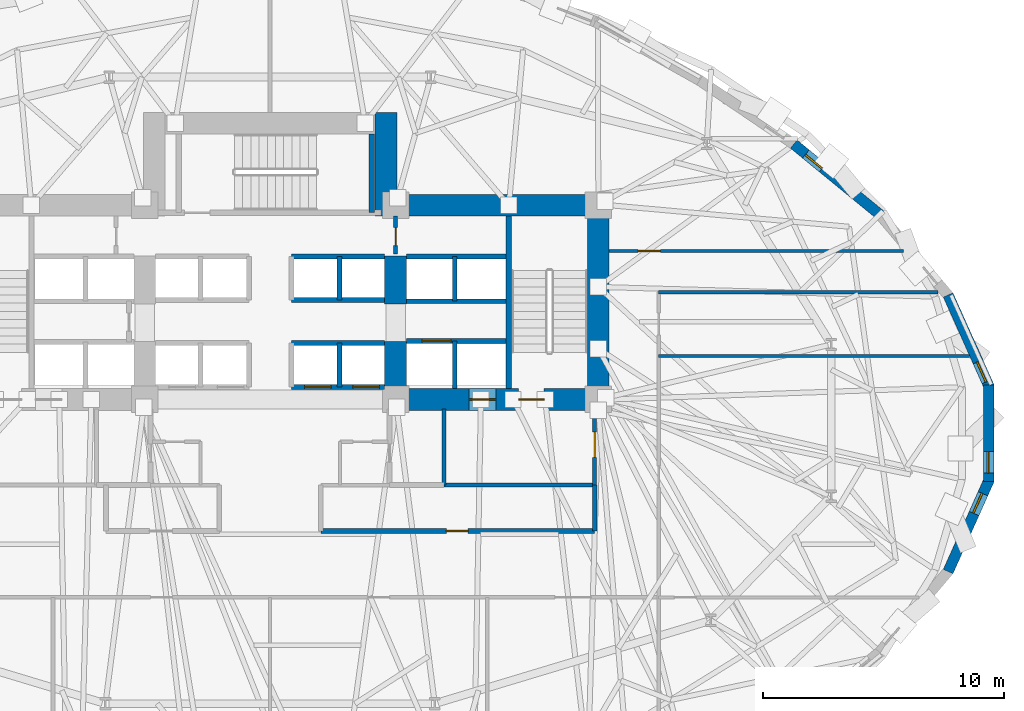
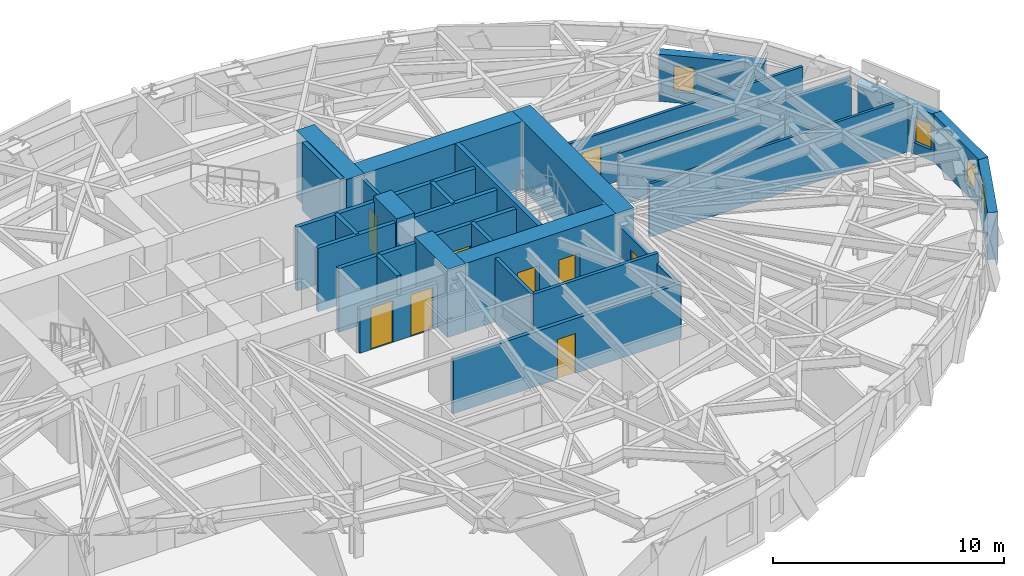
# One storey, part 9 of 14: 32 walls, 9 doors, 4 windows, 13 openings.
"""IFC4 building model written with IfcOpenShell, lengths in metres."""

from ifc_helpers import new_model, si_unit, direction, frame, frame_2d, origin, place, context, subcontext, project, spatial, rectangle, extrude, material, layer, layer_set, type_object, element, fill, save


model = new_model("IFC4")

# Units and contexts
model_context = context("Model", 3, precision=1e-05, world=origin(), true_north=direction((0.0, 1.0)))
body_context = subcontext(model_context, "Body", "Model", "MODEL_VIEW")
ifc_project = project(units=[si_unit("LENGTHUNIT", "METRE"), si_unit("AREAUNIT", "SQUARE_METRE"), si_unit("VOLUMEUNIT", "CUBIC_METRE"), si_unit("PLANEANGLEUNIT", "RADIAN"), si_unit("MASSUNIT", "GRAM", prefix="KILO")], contexts=[model_context])

# Site, building, storey
site_placement = place(None, origin())
site = spatial("IfcSite", under=ifc_project, at=site_placement, CompositionType="ELEMENT")
building_placement = place(site_placement, origin())
building = spatial("IfcBuilding", under=site, at=building_placement, Name="Keldmark Tower", CompositionType="ELEMENT")
storey_placement = place(building_placement, frame((0.0, 0.0, 73.800048828125)))
storey = spatial("IfcBuildingStorey", under=building, at=storey_placement, Name="L19", CompositionType="ELEMENT", Elevation=73.800048828125)

# Wall, opening, door
ifc_material_1 = material(Name="Acoustic Double-Layer Gypsum Corridor Partition", Category="gypsum")
ifc_layer_1 = layer(ifc_material_1, 0.139892578125)
ifc_layer_set_1 = layer_set([ifc_layer_1], Name="Acoustic Double-Layer Gypsum Corridor Partition")
wall_type_1 = type_object("IfcWallType", Name="Acoustic Corridor Partition 140 mm", PredefinedType="PARTITIONING", material=ifc_layer_set_1)
wall_1_placement = place(storey_placement, frame((14.050048828125, 7.550048828125, 0.0), z_axis=(0.0, 0.0, 1.0), x_axis=(1.0, 0.0, 0.0)))
wall_1 = element("IfcWall", 1, at=wall_1_placement, inside=storey, type_object=wall_type_1, Name="L19 Acoustic Corridor Partition 140 mm COR-EN-CAP", PredefinedType="PARTITIONING", context=body_context, shape_type="SweptSolid", body=[
    extrude(rectangle(XDim=12.197509765625, YDim=0.139892578125, at=frame_2d((6.0986328125, 0.0))), origin(), (0.0, 0.0, 1.0), 2.81298828125),
])
opening_1_placement = place(wall_1_placement, frame((1.199951171875, 0.0, 0.0)))
opening_1 = element("IfcOpeningElement", 2, at=opening_1_placement, cuts=wall_1, Name="Opening D-EX092", PredefinedType="OPENING", context=body_context, shape_type="SweptSolid", body=[
    extrude(rectangle(XDim=0.919921875, YDim=2.14990234375, at=frame_2d((0.4599609375, 1.074951171875))), frame((0.0, 0.079833984375, 0.0), z_axis=(0.0, -1.0, 0.0), x_axis=(1.0, 0.0, 0.0)), (0.0, 0.0, 1.0), 0.159912109375),
])
ifc_material_2 = material(Name="Flush American Ash Executive Office Door", Category="wood")
door_type_1 = type_object("IfcDoorType", Name="Executive Office Door 920x2150", OperationType="NOTDEFINED", PredefinedType="DOOR", material=ifc_material_2)
door_1_placement = place(opening_1_placement, origin())
door_1 = element("IfcDoor", 3, at=door_1_placement, inside=storey, type_object=door_type_1, Name="L19 Executive Office Door 920x2150 D-NRNE-L19", OperationType="SINGLE_SWING_RIGHT", OverallHeight=2.14990234375, OverallWidth=0.919921875, PredefinedType="DOOR", context=body_context, shape_type="SweptSolid", body=[
    extrude(rectangle(XDim=0.919921875, YDim=2.14990234375, at=frame_2d((0.4599609375, 1.074951171875))), frame((0.0, 0.02490234375, 0.0), z_axis=(0.0, -1.0, 0.0), x_axis=(1.0, 0.0, 0.0)), (0.0, 0.0, 1.0), 0.050048828125),
])
fill(opening_1, door_1)

# Wall
wall_2_placement = place(storey_placement, frame((16.10009765625, 5.85009765625, 0.0), z_axis=(0.0, 0.0, 1.0), x_axis=(1.0, 0.0, 0.0)))
element("IfcWall", 4, at=wall_2_placement, inside=storey, type_object=wall_type_1, Name="L19 Acoustic Corridor Partition 140 mm COR-EA-S", PredefinedType="PARTITIONING", context=body_context, shape_type="SweptSolid", body=[
    extrude(rectangle(XDim=11.584716796875, YDim=0.139892578125, at=frame_2d((5.79248046875, 0.0))), origin(), (0.0, 0.0, 1.0), 2.81298828125),
])

# Wall, opening, door
ifc_material_3 = material(Name="Heavy Acoustic Plumbing Chase Gypsum Assembly", Category="gypsum")
ifc_layer_2 = layer(ifc_material_3, 0.18994140625)
ifc_layer_set_2 = layer_set([ifc_layer_2], Name="Heavy Acoustic Plumbing Chase Gypsum Assembly")
wall_type_2 = type_object("IfcWallType", Name="Heavy Wet Wall 190 mm", PredefinedType="PLUMBINGWALL", material=ifc_layer_set_2)
wall_3_placement = place(storey_placement, frame((2.10009765625, -4.050048828125, 0.0), z_axis=(0.0, 0.0, 1.0), x_axis=(1.0, 0.0, 0.0)))
wall_3 = element("IfcWall", 5, at=wall_3_placement, inside=storey, type_object=wall_type_2, Name="L19 Heavy Wet Wall 190 mm SPK-E-S", PredefinedType="PLUMBINGWALL", context=body_context, shape_type="SweptSolid", body=[
    extrude(rectangle(XDim=11.349853515625, YDim=0.18994140625, at=frame_2d((5.6748046875, 0.0))), origin(), (0.0, 0.0, 1.0), 2.89306640625),
])
opening_2_placement = place(wall_3_placement, frame((5.199951171875, 0.0, 0.0)))
opening_2 = element("IfcOpeningElement", 6, at=opening_2_placement, cuts=wall_3, Name="Opening D-IN090", PredefinedType="OPENING", context=body_context, shape_type="SweptSolid", body=[
    extrude(rectangle(XDim=0.89990234375, YDim=2.10009765625, at=frame_2d((0.449951171875, 1.050048828125))), frame((0.0, 0.10498046875, 0.0), z_axis=(0.0, -1.0, 0.0), x_axis=(1.0, 0.0, 0.0)), (0.0, 0.0, 1.0), 0.2099609375),
])
ifc_material_4 = material(Name="Stained American White Oak Veneer", Category="wood")
door_type_2 = type_object("IfcDoorType", Name="Interior Door 900x2100", OperationType="NOTDEFINED", PredefinedType="DOOR", material=ifc_material_4)
door_2_placement = place(opening_2_placement, origin())
door_2 = element("IfcDoor", 7, at=door_2_placement, inside=storey, type_object=door_type_2, Name="L19 Interior Door 900x2100 D-SPKE1-L19", OperationType="SINGLE_SWING_RIGHT", OverallHeight=2.10009765625, OverallWidth=0.89990234375, PredefinedType="DOOR", context=body_context, shape_type="SweptSolid", body=[
    extrude(rectangle(XDim=0.89990234375, YDim=2.10009765625, at=frame_2d((0.449951171875, 1.050048828125))), frame((0.0, 0.02490234375, 0.0), z_axis=(0.0, -1.0, 0.0), x_axis=(1.0, 0.0, 0.0)), (0.0, 0.0, 1.0), 0.050048828125),
])
fill(opening_2, door_2)

# Walls
wall_4_placement = place(storey_placement, frame((13.449951171875, -4.050048828125, 0.0), z_axis=(0.0, 0.0, 1.0), x_axis=(0.0, 1.0, 0.0)))
element("IfcWall", 8, at=wall_4_placement, inside=storey, type_object=wall_type_2, Name="L19 Heavy Wet Wall 190 mm SPK-E-E", PredefinedType="PLUMBINGWALL", context=body_context, shape_type="SweptSolid", body=[
    extrude(rectangle(XDim=1.900146484375, YDim=0.18994140625, at=frame_2d((0.9501953125, 0.0))), origin(), (0.0, 0.0, 1.0), 2.81298828125),
])
ifc_material_5 = material(Name="Acoustic Gypsum Board Interior Partition", Category="gypsum")
ifc_layer_3 = layer(ifc_material_5, 0.1298828125)
ifc_layer_set_3 = layer_set([ifc_layer_3], Name="Acoustic Gypsum Board Interior Partition")
wall_type_3 = type_object("IfcWallType", Name="Interior Partition 130 mm", PredefinedType="PARTITIONING", material=ifc_layer_set_3)
wall_5_placement = place(storey_placement, frame((16.10009765625, 3.199951171875, 0.0), z_axis=(0.0, 0.0, 1.0), x_axis=(1.0, 0.0, 0.0)))
element("IfcWall", 9, at=wall_5_placement, inside=storey, type_object=wall_type_3, Name="L19 Interior Partition 130 mm E-DIV-1", PredefinedType="PARTITIONING", context=body_context, shape_type="SweptSolid", body=[
    extrude(rectangle(XDim=12.878173828125, YDim=0.1298828125, at=frame_2d((6.43896484375, 0.0))), origin(), (0.0, 0.0, 1.0), 2.801025390625),
])
ifc_material_6 = material(Name="Concrete C70/85", Category="concrete")
ifc_layer_4 = layer(ifc_material_6, 0.89990234375)
ifc_layer_set_4 = layer_set([ifc_layer_4], Name="Concrete C70/85")
wall_type_4 = type_object("IfcWallType", Name="Lower Core Shear Wall 900 mm", PredefinedType="SHEAR", material=ifc_layer_set_4)
wall_6_placement = place(storey_placement, frame((13.60009765625, 0.949951171875, 0.0), z_axis=(0.0, 0.0, 1.0), x_axis=(0.0, 1.0, 0.0)))
element("IfcWall", 10, at=wall_6_placement, inside=storey, type_object=wall_type_4, Name="L19 East Core Outer Shear Wall", PredefinedType="SHEAR", context=body_context, shape_type="SweptSolid", body=[
    extrude(rectangle(XDim=8.949951171875, YDim=0.89990234375, at=frame_2d((4.47509765625, 0.0))), origin(), (0.0, 0.0, 1.0), 3.599853515625),
])
wall_7_placement = place(storey_placement, frame((4.35009765625, 9.449951171875, 0.0), z_axis=(0.0, 0.0, 1.0), x_axis=(1.0, 0.0, 0.0)))
element("IfcWall", 11, at=wall_7_placement, inside=storey, type_object=wall_type_4, Name="L19 East Core North Shear Wall", PredefinedType="SHEAR", context=body_context, shape_type="SweptSolid", body=[
    extrude(rectangle(XDim=9.699951171875, YDim=0.89990234375, at=frame_2d((4.85009765625, 0.0))), origin(), (0.0, 0.0, 1.0), 3.599853515625),
])

# Wall, openings, doors
wall_8_placement = place(storey_placement, frame((14.050048828125, 1.39990234375, 0.0), z_axis=(0.0, 0.0, 1.0), x_axis=(-1.0, 0.0, 0.0)))
wall_8 = element("IfcWall", 12, at=wall_8_placement, inside=storey, type_object=wall_type_4, Name="L19 East Core South Shear Wall", PredefinedType="SHEAR", context=body_context, shape_type="SweptSolid", body=[
    extrude(rectangle(XDim=9.300048828125, YDim=0.89990234375, at=frame_2d((4.64990234375, 0.0))), origin(), (0.0, 0.0, 1.0), 3.599853515625),
])
opening_3_placement = place(wall_8_placement, frame((2.699951171875, 0.0, 0.0)))
opening_3 = element("IfcOpeningElement", 13, at=opening_3_placement, cuts=wall_8, Name="Opening D-ST105", PredefinedType="OPENING", context=body_context, shape_type="SweptSolid", body=[
    extrude(rectangle(XDim=1.050048828125, YDim=2.14990234375, at=frame_2d((0.52490234375, 1.074951171875))), frame((0.0, 0.4599609375, 0.0), z_axis=(0.0, -1.0, 0.0), x_axis=(1.0, 0.0, 0.0)), (0.0, 0.0, 1.0), 0.919921875),
])
opening_4_placement = place(wall_8_placement, frame((4.699951171875, 0.0, 0.0)))
opening_4 = element("IfcOpeningElement", 14, at=opening_4_placement, cuts=wall_8, Name="Opening LD-110", PredefinedType="OPENING", context=body_context, shape_type="SweptSolid", body=[
    extrude(rectangle(XDim=1.10009765625, YDim=2.199951171875, at=frame_2d((0.550048828125, 1.10009765625))), frame((0.0, 0.4599609375, 0.0), z_axis=(0.0, -1.0, 0.0), x_axis=(1.0, 0.0, 0.0)), (0.0, 0.0, 1.0), 0.919921875),
])
ifc_material_7 = material(Name="Brushed Bronze Hoistway Sliding Leaf", Category="metal")
door_type_3 = type_object("IfcDoorType", Name="Lift Landing Sliding Door 1100x2200", OperationType="SLIDING_TO_LEFT", PredefinedType="DOOR", material=ifc_material_7)
door_3_placement = place(opening_4_placement, origin())
door_3 = element("IfcDoor", 15, at=door_3_placement, inside=storey, type_object=door_type_3, Name="L19 Lift Landing Sliding Door 1100x2200 LD-EL-FS2-L19", OperationType="SLIDING_TO_LEFT", OverallHeight=2.199951171875, OverallWidth=1.10009765625, PredefinedType="DOOR", context=body_context, shape_type="SweptSolid", body=[
    extrude(rectangle(XDim=1.10009765625, YDim=2.199951171875, at=frame_2d((0.550048828125, 1.10009765625))), frame((0.0, 0.02490234375, 0.0), z_axis=(0.0, -1.0, 0.0), x_axis=(1.0, 0.0, 0.0)), (0.0, 0.0, 1.0), 0.050048828125),
])
fill(opening_4, door_3)
ifc_material_8 = material(Name="Hollow Metal Fire-Rated Door Assembly", Category="metal")
door_type_4 = type_object("IfcDoorType", Name="Stair Fire Door 1050x2150", OperationType="NOTDEFINED", PredefinedType="DOOR", material=ifc_material_8)
door_4_placement = place(opening_3_placement, origin())
door_4 = element("IfcDoor", 16, at=door_4_placement, inside=storey, type_object=door_type_4, Name="L19 Stair Fire Door 1050x2150 D-ST2-L19", OperationType="SINGLE_SWING_LEFT", OverallHeight=2.14990234375, OverallWidth=1.050048828125, PredefinedType="DOOR", context=body_context, shape_type="SweptSolid", body=[
    extrude(rectangle(XDim=1.050048828125, YDim=2.14990234375, at=frame_2d((0.52490234375, 1.074951171875))), frame((0.0, 0.02490234375, 0.0), z_axis=(0.0, -1.0, 0.0), x_axis=(1.0, 0.0, 0.0)), (0.0, 0.0, 1.0), 0.050048828125),
])
fill(opening_3, door_4)

# Walls
wall_9_placement = place(storey_placement, frame((5.199951171875, 0.949951171875, 0.0), z_axis=(0.0, 0.0, 1.0), x_axis=(0.0, 1.0, 0.0)))
element("IfcWall", 17, at=wall_9_placement, inside=storey, type_object=wall_type_4, Name="L19 East Core Inner Shear Pier South", PredefinedType="SHEAR", context=body_context, shape_type="SweptSolid", body=[
    extrude(rectangle(XDim=2.85009765625, YDim=0.89990234375, at=frame_2d((1.425048828125, 0.0))), origin(), (0.0, 0.0, 1.0), 3.599853515625),
])
wall_10_placement = place(storey_placement, frame((5.199951171875, 5.35009765625, 0.0), z_axis=(0.0, 0.0, 1.0), x_axis=(0.0, 1.0, 0.0)))
element("IfcWall", 18, at=wall_10_placement, inside=storey, type_object=wall_type_4, Name="L19 East Core Inner Shear Pier North", PredefinedType="SHEAR", context=body_context, shape_type="SweptSolid", body=[
    extrude(rectangle(XDim=2.0, YDim=0.89990234375, at=frame_2d((1.0, 0.0))), origin(), (0.0, 0.0, 1.0), 3.599853515625),
])
wall_11_placement = place(storey_placement, frame((4.800048828125, 9.0, 0.0), z_axis=(0.0, 0.0, 1.0), x_axis=(0.0, 1.0, 0.0)))
element("IfcWall", 19, at=wall_11_placement, inside=storey, type_object=wall_type_4, Name="L19 North Core East Shear Wall", PredefinedType="SHEAR", context=body_context, shape_type="SweptSolid", body=[
    extrude(rectangle(XDim=4.300048828125, YDim=0.89990234375, at=frame_2d((2.14990234375, 0.0))), origin(), (0.0, 0.0, 1.0), 3.599853515625),
])
ifc_material_9 = material(Name="Type X Fire-Rated Gypsum Partition Assembly", Category="gypsum")
ifc_layer_5 = layer(ifc_material_9, 0.1650390625)
ifc_layer_set_5 = layer_set([ifc_layer_5], Name="Type X Fire-Rated Gypsum Partition Assembly")
wall_type_5 = type_object("IfcWallType", Name="Rated Partition 165 mm", PredefinedType="PARTITIONING", material=ifc_layer_set_5)
wall_12_placement = place(storey_placement, frame((7.199951171875, -2.14990234375, 0.0), z_axis=(0.0, 0.0, 1.0), x_axis=(1.0, 0.0, 0.0)))
element("IfcWall", 20, at=wall_12_placement, inside=storey, type_object=wall_type_5, Name="L19 Rated Partition 165 mm FSAE-E-S", PredefinedType="PARTITIONING", context=body_context, shape_type="SweptSolid", body=[
    extrude(rectangle(XDim=6.25, YDim=0.1650390625, at=frame_2d((3.125, 0.0))), origin(), (0.0, 0.0, 1.0), 3.35986328125),
])
wall_13_placement = place(storey_placement, frame((7.199951171875, -2.14990234375, 0.0), z_axis=(0.0, 0.0, 1.0), x_axis=(0.0, 1.0, 0.0)))
element("IfcWall", 21, at=wall_13_placement, inside=storey, type_object=wall_type_5, Name="L19 Rated Partition 165 mm FSAE-E-W", PredefinedType="PARTITIONING", context=body_context, shape_type="SweptSolid", body=[
    extrude(rectangle(XDim=3.14990234375, YDim=0.1650390625, at=frame_2d((1.574951171875, 0.0))), origin(), (0.0, 0.0, 1.0), 3.35986328125),
])

# Wall, opening, door
wall_14_placement = place(storey_placement, frame((13.449951171875, -2.14990234375, 0.0), z_axis=(0.0, 0.0, 1.0), x_axis=(0.0, 1.0, 0.0)))
wall_14 = element("IfcWall", 22, at=wall_14_placement, inside=storey, type_object=wall_type_5, Name="L19 Rated Partition 165 mm FSAE-E-E", PredefinedType="PARTITIONING", context=body_context, shape_type="SweptSolid", body=[
    extrude(rectangle(XDim=3.14990234375, YDim=0.1650390625, at=frame_2d((1.574951171875, 0.0))), origin(), (0.0, 0.0, 1.0), 2.81298828125),
])
opening_5_placement = place(wall_14_placement, frame((1.14990234375, 0.0, 0.0)))
opening_5 = element("IfcOpeningElement", 23, at=opening_5_placement, cuts=wall_14, Name="Opening D-FL105", PredefinedType="OPENING", context=body_context, shape_type="SweptSolid", body=[
    extrude(rectangle(XDim=1.050048828125, YDim=2.14990234375, at=frame_2d((0.52490234375, 1.074951171875))), frame((0.0, 0.092529296875, 0.0), z_axis=(0.0, -1.0, 0.0), x_axis=(1.0, 0.0, 0.0)), (0.0, 0.0, 1.0), 0.18505859375),
])
ifc_material_10 = material(Name="Fire-Rated Mineral-Core Door and Vision Lite", Category="metal")
door_type_5 = type_object("IfcDoorType", Name="Fire Lobby Door 1050x2150", OperationType="NOTDEFINED", PredefinedType="DOOR", material=ifc_material_10)
door_5_placement = place(opening_5_placement, origin())
door_5 = element("IfcDoor", 24, at=door_5_placement, inside=storey, type_object=door_type_5, Name="L19 Fire Lobby Door 1050x2150 D-FSAEE-OUT-L19", OperationType="SINGLE_SWING_LEFT", OverallHeight=2.14990234375, OverallWidth=1.050048828125, PredefinedType="DOOR", context=body_context, shape_type="SweptSolid", body=[
    extrude(rectangle(XDim=1.050048828125, YDim=2.14990234375, at=frame_2d((0.52490234375, 1.074951171875))), frame((0.0, 0.02490234375, 0.0), z_axis=(0.0, -1.0, 0.0), x_axis=(1.0, 0.0, 0.0)), (0.0, 0.0, 1.0), 0.050048828125),
])
fill(opening_5, door_5)

wall_15_placement = place(storey_placement, frame((5.199951171875, 7.419921875, 0.0), z_axis=(0.0, 0.0, 1.0), x_axis=(0.0, 1.0, 0.0)))
wall_15 = element("IfcWall", 25, at=wall_15_placement, inside=storey, type_object=wall_type_5, Name="L19 Rated Partition 165 mm CS-NE-W", PredefinedType="PARTITIONING", context=body_context, shape_type="SweptSolid", body=[
    extrude(rectangle(XDim=1.580078125, YDim=0.1650390625, at=frame_2d((0.7900390625, 0.0))), origin(), (0.0, 0.0, 1.0), 3.35986328125),
])
opening_6_placement = place(wall_15_placement, frame((0.35009765625, 0.0, 0.0)))
opening_6 = element("IfcOpeningElement", 26, at=opening_6_placement, cuts=wall_15, Name="Opening D-RS075", PredefinedType="OPENING", context=body_context, shape_type="SweptSolid", body=[
    extrude(rectangle(XDim=0.75, YDim=2.10009765625, at=frame_2d((0.375, 1.050048828125))), frame((0.0, 0.092529296875, 0.0), z_axis=(0.0, -1.0, 0.0), x_axis=(1.0, 0.0, 0.0)), (0.0, 0.0, 1.0), 0.18505859375),
])
ifc_material_11 = material(Name="Galvanized Fire-Rated Access Leaf", Category="metal")
door_type_6 = type_object("IfcDoorType", Name="Riser Access Door 750x2100", OperationType="NOTDEFINED", PredefinedType="DOOR", material=ifc_material_11)
door_6_placement = place(opening_6_placement, origin())
door_6 = element("IfcDoor", 27, at=door_6_placement, inside=storey, type_object=door_type_6, Name="L19 Riser Access Door 750x2100 D-CSNE1-L19", OperationType="SINGLE_SWING_LEFT", OverallHeight=2.10009765625, OverallWidth=0.75, PredefinedType="DOOR", context=body_context, shape_type="SweptSolid", body=[
    extrude(rectangle(XDim=0.75, YDim=2.10009765625, at=frame_2d((0.375, 1.050048828125))), frame((0.0, 0.02490234375, 0.0), z_axis=(0.0, -1.0, 0.0), x_axis=(1.0, 0.0, 0.0)), (0.0, 0.0, 1.0), 0.050048828125),
])
fill(opening_6, door_6)

ifc_material_12 = material(Name="Fire-Resistant Type X Gypsum Shaftliner Coreboard", Category="gypsum")
ifc_layer_6 = layer(ifc_material_12, 0.199951171875)
ifc_layer_set_6 = layer_set([ifc_layer_6], Name="Fire-Resistant Type X Gypsum Shaftliner Coreboard")
wall_type_6 = type_object("IfcWallType", Name="Shaft Wall 200 mm", PredefinedType="SOLIDWALL", material=ifc_layer_set_6)
wall_16_placement = place(storey_placement, frame((5.64990234375, 3.820068359375, 0.0), z_axis=(0.0, 0.0, 1.0), x_axis=(1.0, 0.0, 0.0)))
wall_16 = element("IfcWall", 28, at=wall_16_placement, inside=storey, type_object=wall_type_6, Name="L19 Shaft Wall 200 mm HW-E-S", PredefinedType="SOLIDWALL", context=body_context, shape_type="SweptSolid", body=[
    extrude(rectangle(XDim=4.130126953125, YDim=0.199951171875, at=frame_2d((2.06494140625, 0.0))), origin(), (0.0, 0.0, 1.0), 3.35986328125),
])
opening_7_placement = place(wall_16_placement, frame((0.64990234375, 0.0, 0.0)))
opening_7 = element("IfcOpeningElement", 29, at=opening_7_placement, cuts=wall_16, Name="Opening LD-120", PredefinedType="OPENING", context=body_context, shape_type="SweptSolid", body=[
    extrude(rectangle(XDim=1.199951171875, YDim=2.199951171875, at=frame_2d((0.60009765625, 1.10009765625))), frame((0.0, 0.10986328125, 0.0), z_axis=(0.0, -1.0, 0.0), x_axis=(1.0, 0.0, 0.0)), (0.0, 0.0, 1.0), 0.219970703125),
])
ifc_material_13 = material(Name="Heavy-Duty Brushed Metal Hoistway Sliding Leaf", Category="metal")
door_type_7 = type_object("IfcDoorType", Name="Service Lift Sliding Door 1200x2200", OperationType="SLIDING_TO_RIGHT", PredefinedType="DOOR", material=ifc_material_13)
door_7_placement = place(opening_7_placement, origin())
door_7 = element("IfcDoor", 30, at=door_7_placement, inside=storey, type_object=door_type_7, Name="L19 Service Lift Sliding Door 1200x2200 LD-EL-SV1-L19", OperationType="SLIDING_TO_RIGHT", OverallHeight=2.199951171875, OverallWidth=1.199951171875, PredefinedType="DOOR", context=body_context, shape_type="SweptSolid", body=[
    extrude(rectangle(XDim=1.199951171875, YDim=2.199951171875, at=frame_2d((0.60009765625, 1.10009765625))), frame((0.0, 0.02490234375, 0.0), z_axis=(0.0, -1.0, 0.0), x_axis=(1.0, 0.0, 0.0)), (0.0, 0.0, 1.0), 0.050048828125),
])
fill(opening_7, door_7)

# Walls
wall_17_placement = place(storey_placement, frame((7.64990234375, 1.85009765625, 0.0), z_axis=(0.0, 0.0, 1.0), x_axis=(0.0, 1.0, 0.0)))
element("IfcWall", 31, at=wall_17_placement, inside=storey, type_object=wall_type_6, Name="L19 Shaft Wall 200 mm HW-E-M", PredefinedType="SOLIDWALL", context=body_context, shape_type="SweptSolid", body=[
    extrude(rectangle(XDim=1.969970703125, YDim=0.199951171875, at=frame_2d((0.98486328125, 0.0))), origin(), (0.0, 0.0, 1.0), 3.35986328125),
])
for number, where, z_axis, x_axis, name in (
    (32, (5.64990234375, 5.469970703125, 0.0), (0.0, 0.0, 1.0), (1.0, 0.0, 0.0), "L19 Shaft Wall 200 mm HW-E-N"),
    (33, (5.64990234375, 7.330078125, 0.0), (0.0, 0.0, 1.0), (1.0, 0.0, 0.0), "L19 Shaft Wall 200 mm HW-E-TOP"),
):
    element("IfcWall", number, at=place(storey_placement, frame(where, z_axis=z_axis, x_axis=x_axis)), inside=storey, type_object=wall_type_6, Name=name, PredefinedType="SOLIDWALL", context=body_context, shape_type="SweptSolid", body=[
        extrude(rectangle(XDim=4.130126953125, YDim=0.199951171875, at=frame_2d((2.06494140625, 0.0))), origin(), (0.0, 0.0, 1.0), 3.35986328125),
    ])
wall_18_placement = place(storey_placement, frame((7.64990234375, 5.469970703125, 0.0), z_axis=(0.0, 0.0, 1.0), x_axis=(0.0, 1.0, 0.0)))
element("IfcWall", 34, at=wall_18_placement, inside=storey, type_object=wall_type_6, Name="L19 Shaft Wall 200 mm HW-E-NM", PredefinedType="SOLIDWALL", context=body_context, shape_type="SweptSolid", body=[
    extrude(rectangle(XDim=1.860107421875, YDim=0.199951171875, at=frame_2d((0.93017578125, 0.0))), origin(), (0.0, 0.0, 1.0), 3.35986328125),
])

# Wall, openings, doors
wall_19_placement = place(storey_placement, frame((0.8798828125, 1.919921875, 0.0), z_axis=(0.0, 0.0, 1.0), x_axis=(1.0, 0.0, 0.0)))
wall_19 = element("IfcWall", 35, at=wall_19_placement, inside=storey, type_object=wall_type_6, Name="L19 Shaft Wall 200 mm LOW-S-E", PredefinedType="SOLIDWALL", context=body_context, shape_type="SweptSolid", body=[
    extrude(rectangle(XDim=3.860107421875, YDim=0.199951171875, at=frame_2d((1.93017578125, 0.0))), origin(), (0.0, 0.0, 1.0), 2.349853515625),
])
opening_8_placement = place(wall_19_placement, frame((0.550048828125, 0.0, 0.0)))
opening_8 = element("IfcOpeningElement", 36, at=opening_8_placement, cuts=wall_19, Name="Opening LD-110", PredefinedType="OPENING", context=body_context, shape_type="SweptSolid", body=[
    extrude(rectangle(XDim=1.10009765625, YDim=2.199951171875, at=frame_2d((0.550048828125, 1.10009765625))), frame((0.0, 0.10986328125, 0.0), z_axis=(0.0, -1.0, 0.0), x_axis=(1.0, 0.0, 0.0)), (0.0, 0.0, 1.0), 0.219970703125),
])
opening_9_placement = place(wall_19_placement, frame((2.550048828125, 0.0, 0.0)))
opening_9 = element("IfcOpeningElement", 37, at=opening_9_placement, cuts=wall_19, Name="Opening LD-110", PredefinedType="OPENING", context=body_context, shape_type="SweptSolid", body=[
    extrude(rectangle(XDim=1.10009765625, YDim=2.199951171875, at=frame_2d((0.550048828125, 1.10009765625))), frame((0.0, 0.10986328125, 0.0), z_axis=(0.0, -1.0, 0.0), x_axis=(1.0, 0.0, 0.0)), (0.0, 0.0, 1.0), 0.219970703125),
])
door_8_placement = place(opening_8_placement, origin())
door_8 = element("IfcDoor", 38, at=door_8_placement, inside=storey, type_object=door_type_3, Name="L19 Lift Landing Sliding Door 1100x2200 LD-EL-L3-L19", OperationType="SLIDING_TO_LEFT", OverallHeight=2.199951171875, OverallWidth=1.10009765625, PredefinedType="DOOR", context=body_context, shape_type="SweptSolid", body=[
    extrude(rectangle(XDim=1.10009765625, YDim=2.199951171875, at=frame_2d((0.550048828125, 1.10009765625))), frame((0.0, 0.02490234375, 0.0), z_axis=(0.0, -1.0, 0.0), x_axis=(1.0, 0.0, 0.0)), (0.0, 0.0, 1.0), 0.050048828125),
])
fill(opening_8, door_8)
door_9_placement = place(opening_9_placement, origin())
door_9 = element("IfcDoor", 39, at=door_9_placement, inside=storey, type_object=door_type_3, Name="L19 Lift Landing Sliding Door 1100x2200 LD-EL-L4-L19", OperationType="SLIDING_TO_LEFT", OverallHeight=2.199951171875, OverallWidth=1.10009765625, PredefinedType="DOOR", context=body_context, shape_type="SweptSolid", body=[
    extrude(rectangle(XDim=1.10009765625, YDim=2.199951171875, at=frame_2d((0.550048828125, 1.10009765625))), frame((0.0, 0.02490234375, 0.0), z_axis=(0.0, -1.0, 0.0), x_axis=(1.0, 0.0, 0.0)), (0.0, 0.0, 1.0), 0.050048828125),
])
fill(opening_9, door_9)

# Walls
wall_20_placement = place(storey_placement, frame((0.8798828125, 3.739990234375, 0.0), z_axis=(0.0, 0.0, 1.0), x_axis=(1.0, 0.0, 0.0)))
element("IfcWall", 40, at=wall_20_placement, inside=storey, type_object=wall_type_6, Name="L19 Shaft Wall 200 mm LOW-N-E", PredefinedType="SOLIDWALL", context=body_context, shape_type="SweptSolid", body=[
    extrude(rectangle(XDim=3.860107421875, YDim=0.199951171875, at=frame_2d((1.93017578125, 0.0))), origin(), (0.0, 0.0, 1.0), 3.35986328125),
])
wall_21_placement = place(storey_placement, frame((2.8798828125, 1.919921875, 0.0), z_axis=(0.0, 0.0, 1.0), x_axis=(0.0, 1.0, 0.0)))
element("IfcWall", 41, at=wall_21_placement, inside=storey, type_object=wall_type_6, Name="L19 Shaft Wall 200 mm LOW-M-E", PredefinedType="SOLIDWALL", context=body_context, shape_type="SweptSolid", body=[
    extrude(rectangle(XDim=1.820068359375, YDim=0.199951171875, at=frame_2d((0.91015625, 0.0))), origin(), (0.0, 0.0, 1.0), 3.35986328125),
])
for number, where, z_axis, x_axis, name in (
    (42, (0.8798828125, 5.52001953125, 0.0), (0.0, 0.0, 1.0), (1.0, 0.0, 0.0), "L19 Shaft Wall 200 mm MID-S-E"),
    (43, (0.8798828125, 7.330078125, 0.0), (0.0, 0.0, 1.0), (1.0, 0.0, 0.0), "L19 Shaft Wall 200 mm MID-N-E"),
):
    element("IfcWall", number, at=place(storey_placement, frame(where, z_axis=z_axis, x_axis=x_axis)), inside=storey, type_object=wall_type_6, Name=name, PredefinedType="SOLIDWALL", context=body_context, shape_type="SweptSolid", body=[
        extrude(rectangle(XDim=3.860107421875, YDim=0.199951171875, at=frame_2d((1.93017578125, 0.0))), origin(), (0.0, 0.0, 1.0), 3.35986328125),
    ])
wall_22_placement = place(storey_placement, frame((2.8798828125, 5.52001953125, 0.0), z_axis=(0.0, 0.0, 1.0), x_axis=(0.0, 1.0, 0.0)))
element("IfcWall", 44, at=wall_22_placement, inside=storey, type_object=wall_type_6, Name="L19 Shaft Wall 200 mm MID-M-E", PredefinedType="SOLIDWALL", context=body_context, shape_type="SweptSolid", body=[
    extrude(rectangle(XDim=1.81005859375, YDim=0.199951171875, at=frame_2d((0.905029296875, 0.0))), origin(), (0.0, 0.0, 1.0), 3.35986328125),
])
ifc_material_14 = material(Name="Concrete C50/60", Category="concrete")
ifc_layer_7 = layer(ifc_material_14, 0.219970703125)
ifc_layer_set_7 = layer_set([ifc_layer_7], Name="Concrete C50/60")
wall_type_7 = type_object("IfcWallType", Name="Stair Core Shear Wall 220 mm", PredefinedType="SHEAR", material=ifc_layer_set_7)
wall_23_placement = place(storey_placement, frame((9.889892578125, 1.85009765625, 0.0), z_axis=(0.0, 0.0, 1.0), x_axis=(0.0, 1.0, 0.0)))
element("IfcWall", 45, at=wall_23_placement, inside=storey, type_object=wall_type_7, Name="L19 East Stair Core Shear Wall", PredefinedType="SHEAR", context=body_context, shape_type="SweptSolid", body=[
    extrude(rectangle(XDim=7.14990234375, YDim=0.219970703125, at=frame_2d((3.574951171875, 0.0))), origin(), (0.0, 0.0, 1.0), 3.599853515625),
])
wall_24_placement = place(storey_placement, frame((4.215087890625, 9.139892578125, 0.0), z_axis=(0.0, 0.0, 1.0), x_axis=(0.0, 1.0, 0.0)))
element("IfcWall", 46, at=wall_24_placement, inside=storey, type_object=wall_type_7, Name="L19 Central Stair Core East Shear Wall", PredefinedType="SHEAR", context=body_context, shape_type="SweptSolid", body=[
    extrude(rectangle(XDim=3.260009765625, YDim=0.219970703125, at=frame_2d((1.6298828125, 0.0))), origin(), (0.0, 0.0, 1.0), 3.599853515625),
])

# Wall, opening, window
ifc_material_15 = material(Name="Ironspot Manganese Brick and Kasota Buff Limestone Spandrel Assembly", Category="masonry")
ifc_layer_8 = layer(ifc_material_15, 0.43994140625)
ifc_layer_set_8 = layer_set([ifc_layer_8], Name="Ironspot Manganese Brick and Kasota Buff Limestone Spandrel Assembly")
wall_type_8 = type_object("IfcWallType", Name="Tower Brick Pier and Spandrel Wall 440 mm", PredefinedType="STANDARD", material=ifc_layer_set_8)
wall_25_placement = place(storey_placement, frame((28.095703125, 5.730712890625, 0.0), z_axis=(0.0, 0.0, 1.0), x_axis=(0.408380143708, -0.912811951184, 0.0)))
wall_25 = element("IfcWall", 47, at=wall_25_placement, inside=storey, type_object=wall_type_8, Name="L19 Exterior Brick and Spandrel Wall 01", PredefinedType="STANDARD", context=body_context, shape_type="SweptSolid", body=[
    extrude(rectangle(XDim=4.18115234375, YDim=0.43994140625, at=frame_2d((2.090576171875, 0.0))), origin(), (0.0, 0.0, 1.0), 2.492919921875),
])
opening_10_placement = place(wall_25_placement, frame((3.031494140625, 0.0, 0.580078125)))
opening_10 = element("IfcOpeningElement", 48, at=opening_10_placement, cuts=wall_25, Name="Opening W-09", PredefinedType="OPENING", context=body_context, shape_type="SweptSolid", body=[
    extrude(rectangle(XDim=0.89990234375, YDim=1.35009765625, at=frame_2d((0.449951171875, 0.675048828125))), frame((0.0, 0.22998046875, 0.0), z_axis=(0.0, -1.0, 0.0), x_axis=(1.0, 0.0, 0.0)), (0.0, 0.0, 1.0), 0.4599609375),
])
ifc_material_16 = material(Name="Thermally Broken Anodized Aluminum and Triple Low-E Argon Glazing", Category="aluminium")
window_type = type_object("IfcWindowType", Name="Corner Pier Deep-Set Window 900x1350", PartitioningType="SINGLE_PANEL", PredefinedType="WINDOW", material=ifc_material_16)
window_1_placement = place(opening_10_placement, origin())
window_1 = element("IfcWindow", 49, at=window_1_placement, inside=storey, type_object=window_type, Name="L19 Deep-Set Window 01", OverallHeight=1.35009765625, OverallWidth=0.89990234375, PartitioningType="SINGLE_PANEL", PredefinedType="WINDOW", context=body_context, shape_type="SweptSolid", body=[
    extrude(rectangle(XDim=0.89990234375, YDim=1.35009765625, at=frame_2d((0.449951171875, 0.675048828125))), frame((0.0, -0.010009765625, 0.0), z_axis=(0.0, -1.0, 0.0), x_axis=(1.0, 0.0, 0.0)), (0.0, 0.0, 1.0), 0.06005859375),
])
fill(opening_10, window_1)

wall_26_placement = place(storey_placement, frame((21.69873046875, 11.982421875, 0.0), z_axis=(0.0, 0.0, 1.0), x_axis=(0.7737766342, -0.63345853879, 0.0)))
wall_26 = element("IfcWall", 50, at=wall_26_placement, inside=storey, type_object=wall_type_8, Name="L19 Exterior Brick and Spandrel Wall 03", PredefinedType="STANDARD", context=body_context, shape_type="SweptSolid", body=[
    extrude(rectangle(XDim=4.636962890625, YDim=0.43994140625, at=frame_2d((2.318359375, 0.0))), origin(), (0.0, 0.0, 1.0), 2.489013671875),
])
opening_11_placement = place(wall_26_placement, frame((0.648193359375, 0.0, 0.580078125)))
opening_11 = element("IfcOpeningElement", 51, at=opening_11_placement, cuts=wall_26, Name="Opening W-09", PredefinedType="OPENING", context=body_context, shape_type="SweptSolid", body=[
    extrude(rectangle(XDim=0.89990234375, YDim=1.35009765625, at=frame_2d((0.449951171875, 0.675048828125))), frame((0.0, 0.22998046875, 0.0), z_axis=(0.0, -1.0, 0.0), x_axis=(1.0, 0.0, 0.0)), (0.0, 0.0, 1.0), 0.4599609375),
])
window_2_placement = place(opening_11_placement, origin())
window_2 = element("IfcWindow", 52, at=window_2_placement, inside=storey, type_object=window_type, Name="L19 Deep-Set Window 03", OverallHeight=1.35009765625, OverallWidth=0.89990234375, PartitioningType="SINGLE_PANEL", PredefinedType="WINDOW", context=body_context, shape_type="SweptSolid", body=[
    extrude(rectangle(XDim=0.89990234375, YDim=1.35009765625, at=frame_2d((0.449951171875, 0.675048828125))), frame((0.0, -0.010009765625, 0.0), z_axis=(0.0, -1.0, 0.0), x_axis=(1.0, 0.0, 0.0)), (0.0, 0.0, 1.0), 0.06005859375),
])
fill(opening_11, window_2)

wall_27_placement = place(storey_placement, frame((29.80322265625, -1.9140625, 0.0), z_axis=(0.0, 0.0, 1.0), x_axis=(-0.408380143708, -0.912811951184, 0.0)))
wall_27 = element("IfcWall", 53, at=wall_27_placement, inside=storey, type_object=wall_type_8, Name="L19 Exterior Brick and Spandrel Wall 31", PredefinedType="STANDARD", context=body_context, shape_type="SweptSolid", body=[
    extrude(rectangle(XDim=4.18115234375, YDim=0.43994140625, at=frame_2d((2.090576171875, 0.0))), origin(), (0.0, 0.0, 1.0), 2.492919921875),
])
opening_12_placement = place(wall_27_placement, frame((0.647216796875, 0.0, 0.580078125)))
opening_12 = element("IfcOpeningElement", 54, at=opening_12_placement, cuts=wall_27, Name="Opening W-09", PredefinedType="OPENING", context=body_context, shape_type="SweptSolid", body=[
    extrude(rectangle(XDim=0.89990234375, YDim=1.35009765625, at=frame_2d((0.449951171875, 0.675048828125))), frame((0.0, 0.22998046875, 0.0), z_axis=(0.0, -1.0, 0.0), x_axis=(1.0, 0.0, 0.0)), (0.0, 0.0, 1.0), 0.4599609375),
])
window_3_placement = place(opening_12_placement, origin())
window_3 = element("IfcWindow", 55, at=window_3_placement, inside=storey, type_object=window_type, Name="L19 Deep-Set Window 31", OverallHeight=1.35009765625, OverallWidth=0.89990234375, PartitioningType="SINGLE_PANEL", PredefinedType="WINDOW", context=body_context, shape_type="SweptSolid", body=[
    extrude(rectangle(XDim=0.89990234375, YDim=1.35009765625, at=frame_2d((0.449951171875, 0.675048828125))), frame((0.0, -0.010009765625, 0.0), z_axis=(0.0, -1.0, 0.0), x_axis=(1.0, 0.0, 0.0)), (0.0, 0.0, 1.0), 0.06005859375),
])
fill(opening_12, window_3)

wall_28_placement = place(storey_placement, frame((29.7841796875, 2.00390625, 0.0), z_axis=(0.0, 0.0, 1.0), x_axis=(0.0, -1.0, 0.0)))
wall_28 = element("IfcWall", 56, at=wall_28_placement, inside=storey, type_object=wall_type_8, Name="L19 Exterior Brick and Spandrel Wall 32", PredefinedType="STANDARD", context=body_context, shape_type="SweptSolid", body=[
    extrude(rectangle(XDim=4.0078125, YDim=0.43994140625, at=frame_2d((2.00390625, 0.0))), origin(), (0.0, 0.0, 1.0), 2.492919921875),
])
opening_13_placement = place(wall_28_placement, frame((2.760009765625, 0.0, 0.580078125)))
opening_13 = element("IfcOpeningElement", 57, at=opening_13_placement, cuts=wall_28, Name="Opening W-09", PredefinedType="OPENING", context=body_context, shape_type="SweptSolid", body=[
    extrude(rectangle(XDim=0.89990234375, YDim=1.35009765625, at=frame_2d((0.449951171875, 0.675048828125))), frame((0.0, 0.22998046875, 0.0), z_axis=(0.0, -1.0, 0.0), x_axis=(1.0, 0.0, 0.0)), (0.0, 0.0, 1.0), 0.4599609375),
])
window_4_placement = place(opening_13_placement, origin())
window_4 = element("IfcWindow", 58, at=window_4_placement, inside=storey, type_object=window_type, Name="L19 Deep-Set Window 32", OverallHeight=1.35009765625, OverallWidth=0.89990234375, PartitioningType="SINGLE_PANEL", PredefinedType="WINDOW", context=body_context, shape_type="SweptSolid", body=[
    extrude(rectangle(XDim=0.89990234375, YDim=1.35009765625, at=frame_2d((0.449951171875, 0.675048828125))), frame((0.0, -0.010009765625, 0.0), z_axis=(0.0, -1.0, 0.0), x_axis=(1.0, 0.0, 0.0)), (0.0, 0.0, 1.0), 0.06005859375),
])
fill(opening_13, window_4)

save(model, "model.ifc")
